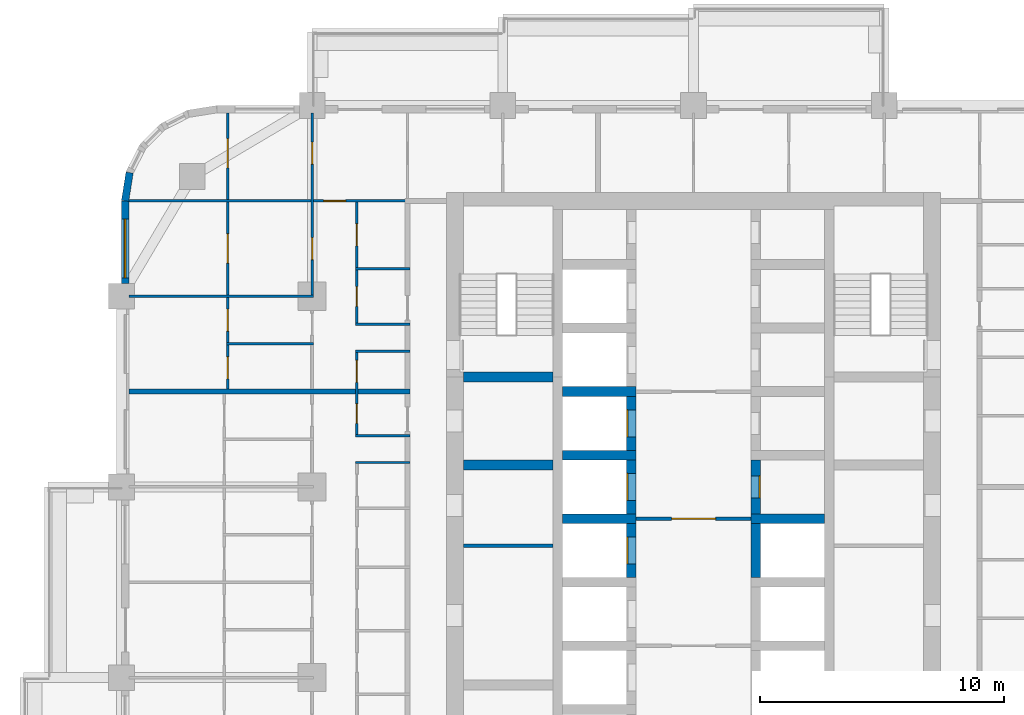
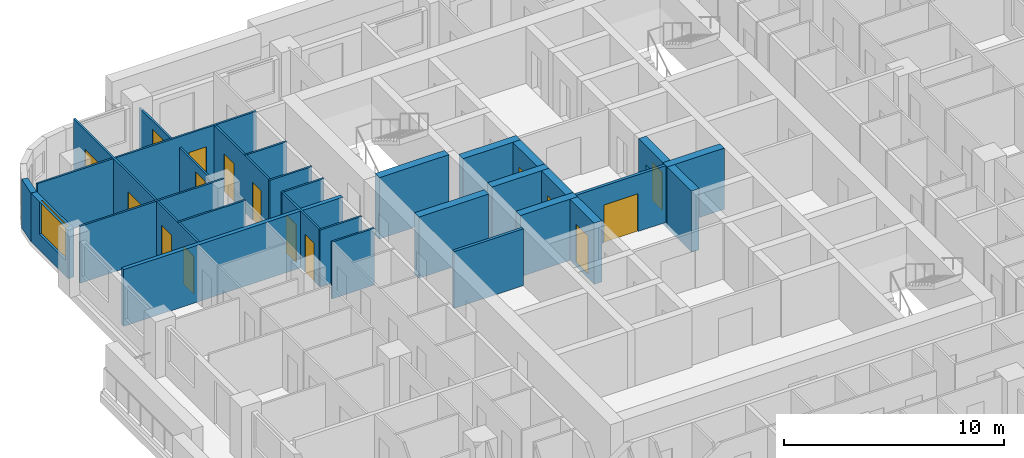
# One storey, part 10 of 17: 28 walls, 16 doors, 1 window, 17 openings.
"""IFC4 building model written with IfcOpenShell, lengths in metres."""

from ifc_helpers import new_model, si_unit, direction, frame, frame_2d, origin, place, context, subcontext, project, spatial, rectangle, extrude, material, layer, layer_set, type_object, element, fill, save


model = new_model("IFC4")

# Units and contexts
model_context = context("Model", 3, precision=1e-05, world=origin(), true_north=direction((0.0, 1.0)))
body_context = subcontext(model_context, "Body", "Model", "MODEL_VIEW")
ifc_project = project(units=[si_unit("LENGTHUNIT", "METRE"), si_unit("AREAUNIT", "SQUARE_METRE"), si_unit("VOLUMEUNIT", "CUBIC_METRE"), si_unit("PLANEANGLEUNIT", "RADIAN"), si_unit("MASSUNIT", "GRAM", prefix="KILO")], contexts=[model_context])

# Site, building, storey
site_placement = place(None, origin())
site = spatial("IfcSite", under=ifc_project, at=site_placement, CompositionType="ELEMENT")
building_placement = place(site_placement, origin())
building = spatial("IfcBuilding", under=site, at=building_placement, Name="Ludao Terraces", CompositionType="ELEMENT")
storey_placement = place(building_placement, frame((0.0, 0.0, 54.60009765625)))
storey = spatial("IfcBuildingStorey", under=building, at=storey_placement, Name="L14", CompositionType="ELEMENT", Elevation=54.60009765625)

# Wall, opening, window
ifc_material_1 = material(Name="Granite cladding", Category="masonry")
ifc_layer_1 = layer(ifc_material_1, 0.0400390625, Category="stone")
ifc_material_2 = material(Name="Mineral wool")
ifc_layer_2 = layer(ifc_material_2, 0.06005859375)
ifc_material_3 = material(Name="Concrete C40", Category="concrete")
ifc_layer_3 = layer(ifc_material_3, 0.199951171875, Category="concrete")
ifc_layer_set_1 = layer_set([ifc_layer_1, ifc_layer_2, ifc_layer_3], Name="ENV Stone-clad wall 300")
wall_type_1 = type_object("IfcWallType", Name="ENV Stone-clad wall 300", PredefinedType="SOLIDWALL", material=ifc_layer_set_1)
wall_1_placement = place(storey_placement, frame((61.75, 81.125, 0.0), z_axis=(0.0, 0.0, 1.0), x_axis=(0.0, 1.0, 0.0)))
wall_1 = element("IfcWall", 1, at=wall_1_placement, inside=storey, type_object=wall_type_1, Name="EW-L14-W6", PredefinedType="SOLIDWALL", context=body_context, shape_type="SweptSolid", body=[
    extrude(rectangle(XDim=3.375, YDim=0.300048828125, at=frame_2d((1.6875, 0.0))), origin(), (0.0, 0.0, 1.0), 2.699951171875),
])
opening_1_placement = place(wall_1_placement, frame((0.22509765625, 0.0, 0.89990234375)))
opening_1 = element("IfcOpeningElement", 2, at=opening_1_placement, cuts=wall_1, Name="Opening W1", PredefinedType="OPENING", context=body_context, shape_type="SweptSolid", body=[
    extrude(rectangle(XDim=2.39990234375, YDim=1.800048828125, at=frame_2d((1.199951171875, 0.89990234375))), frame((0.0, 0.16015625, 0.0), z_axis=(0.0, -1.0, 0.0), x_axis=(1.0, 0.0, 0.0)), (0.0, 0.0, 1.0), 0.320068359375),
])
ifc_material_4 = material(Name="Clear glass in aluminium frame", Category="aluminium")
ifc_layer_4 = layer(ifc_material_4, 0.06005859375)
ifc_layer_set_2 = layer_set([ifc_layer_4], Name="ENV Window W1 2400x1800")
window_type = type_object("IfcWindowType", Name="ENV Window W1 2400x1800", PartitioningType="DOUBLE_PANEL_VERTICAL", PredefinedType="WINDOW", material=ifc_layer_set_2)
window_placement = place(opening_1_placement, origin())
window = element("IfcWindow", 3, at=window_placement, inside=storey, type_object=window_type, Name="W-L14-W6-1", OverallHeight=1.800048828125, OverallWidth=2.39990234375, PartitioningType="DOUBLE_PANEL_VERTICAL", PredefinedType="WINDOW", context=body_context, shape_type="SweptSolid", body=[
    extrude(rectangle(XDim=2.39990234375, YDim=1.800048828125, at=frame_2d((1.199951171875, 0.89990234375))), frame((0.0, 0.030029296875, 0.0), z_axis=(0.0, -1.0, 0.0), x_axis=(1.0, 0.0, 0.0)), (0.0, 0.0, 1.0), 0.06005859375),
])
fill(opening_1, window)

# Walls
wall_2_placement = place(storey_placement, frame((61.93359375, 85.65869140625, 0.0), z_axis=(0.0, 0.0, 1.0), x_axis=(-0.156496880861, -0.987678452879, 0.0)))
element("IfcWall", 4, at=wall_2_placement, inside=storey, type_object=wall_type_1, Name="EW-L14-NW5", PredefinedType="SOLIDWALL", context=body_context, shape_type="SweptSolid", body=[
    extrude(rectangle(XDim=1.173095703125, YDim=0.300048828125, at=frame_2d((0.58642578125, 0.0))), origin(), (0.0, 0.0, 1.0), 2.699951171875),
])
ifc_material_5 = material(Name="Fire-rated gypsum plasterboard", Category="gypsum")
ifc_layer_5 = layer(ifc_material_5, 0.012451171875, Category="gypsum")
ifc_layer_6 = layer(ifc_material_2, 0.10009765625, Name="insulation")
ifc_material_6 = material(Name="Steel Q235", Category="steel")
ifc_layer_7 = layer(ifc_material_6, 0.02490234375, Name="stud")
ifc_layer_8 = layer(ifc_material_5, 0.012451171875, Category="gypsum")
ifc_layer_set_3 = layer_set([ifc_layer_5, ifc_layer_6, ifc_layer_7, ifc_layer_8], Name="INT Core partition 150")
wall_type_2 = type_object("IfcWallType", Name="INT Core partition 150", PredefinedType="PARTITIONING", material=ifc_layer_set_3)
wall_3_placement = place(storey_placement, frame((75.60009765625, 70.39990234375, 0.0), z_axis=(0.0, 0.0, 1.0), x_axis=(1.0, 0.0, 0.0)))
element("IfcWall", 5, at=wall_3_placement, inside=storey, type_object=wall_type_2, Name="PW-L14-PW049", PredefinedType="PARTITIONING", context=body_context, shape_type="SweptSolid", body=[
    extrude(rectangle(XDim=3.64990234375, YDim=0.14990234375, at=frame_2d((1.824951171875, 0.0))), origin(), (0.0, 0.0, 1.0), 3.14990234375),
])

# Wall, opening, door
wall_4_placement = place(storey_placement, frame((82.650146484375, 71.5, 0.0), z_axis=(0.0, 0.0, 1.0), x_axis=(1.0, 0.0, 0.0)))
wall_4 = element("IfcWall", 6, at=wall_4_placement, inside=storey, type_object=wall_type_2, Name="PW-L14-PW053", PredefinedType="PARTITIONING", context=body_context, shape_type="SweptSolid", body=[
    extrude(rectangle(XDim=4.699951171875, YDim=0.14990234375, at=frame_2d((2.35009765625, 0.0))), origin(), (0.0, 0.0, 1.0), 3.14990234375),
])
opening_2_placement = place(wall_4_placement, frame((1.449951171875, 0.0, 0.0)))
opening_2 = element("IfcOpeningElement", 7, at=opening_2_placement, cuts=wall_4, Name="Opening R04-102", PredefinedType="OPENING", context=body_context, shape_type="SweptSolid", body=[
    extrude(rectangle(XDim=1.800048828125, YDim=2.10009765625, at=frame_2d((0.89990234375, 1.050048828125))), frame((0.0, 0.0849609375, 0.0), z_axis=(0.0, -1.0, 0.0), x_axis=(1.0, 0.0, 0.0)), (0.0, 0.0, 1.0), 0.169921875),
])
door_type_1 = type_object("IfcDoorType", Name="INT Fire lobby door 1800", OperationType="DOUBLE_DOOR_SINGLE_SWING", PredefinedType="DOOR", material=ifc_material_6)
door_1_placement = place(opening_2_placement, origin())
door_1 = element("IfcDoor", 8, at=door_1_placement, inside=storey, type_object=door_type_1, Name="DOOR 102", OperationType="DOUBLE_DOOR_SINGLE_SWING", OverallHeight=2.10009765625, OverallWidth=1.800048828125, PredefinedType="DOOR", context=body_context, shape_type="SweptSolid", body=[
    extrude(rectangle(XDim=1.800048828125, YDim=2.10009765625, at=frame_2d((0.89990234375, 1.050048828125))), frame((0.0, 0.02490234375, 0.0), z_axis=(0.0, -1.0, 0.0), x_axis=(1.0, 0.0, 0.0)), (0.0, 0.0, 1.0), 0.050048828125),
])
fill(opening_2, door_1)

# Walls
ifc_material_7 = material(Name="Gypsum plasterboard", Category="gypsum")
ifc_layer_9 = layer(ifc_material_7, 0.012451171875, Category="gypsum")
ifc_layer_10 = layer(ifc_material_2, 0.06005859375, Name="insulation")
ifc_layer_11 = layer(ifc_material_6, 0.014892578125, Name="stud")
ifc_layer_12 = layer(ifc_material_7, 0.012451171875, Category="gypsum")
ifc_layer_set_4 = layer_set([ifc_layer_9, ifc_layer_10, ifc_layer_11, ifc_layer_12], Name="INT Partition 100")
wall_type_3 = type_object("IfcWallType", Name="INT Partition 100", PredefinedType="PARTITIONING", material=ifc_layer_set_4)
for number, where, z_axis, x_axis, name in (
    (9, (71.18017578125, 73.800048828125, 0.0), (0.0, 0.0, 1.0), (1.0, 0.0, 0.0), "PW-L14-PW057"),
    (10, (71.18017578125, 74.89990234375, 0.0), (0.0, 0.0, 1.0), (1.0, 0.0, 0.0), "PW-L14-PW060"),
    (11, (71.18017578125, 78.35009765625, 0.0), (0.0, 0.0, 1.0), (1.0, 0.0, 0.0), "PW-L14-PW066"),
):
    element("IfcWall", number, at=place(storey_placement, frame(where, z_axis=z_axis, x_axis=x_axis)), inside=storey, type_object=wall_type_3, Name=name, PredefinedType="PARTITIONING", context=body_context, shape_type="SweptSolid", body=[
        extrude(rectangle(XDim=2.219970703125, YDim=0.10009765625, at=frame_2d((1.10986328125, 0.0))), origin(), (0.0, 0.0, 1.0), 3.14990234375),
    ])
wall_5_placement = place(storey_placement, frame((65.900146484375, 78.64990234375, 0.0), z_axis=(0.0, 0.0, 1.0), x_axis=(1.0, 0.0, 0.0)))
element("IfcWall", 12, at=wall_5_placement, inside=storey, type_object=wall_type_3, Name="PW-L14-PW067", PredefinedType="PARTITIONING", context=body_context, shape_type="SweptSolid", body=[
    extrude(rectangle(XDim=3.550048828125, YDim=0.10009765625, at=frame_2d((1.77490234375, 0.0))), origin(), (0.0, 0.0, 1.0), 3.14990234375),
])
wall_6_placement = place(storey_placement, frame((71.18017578125, 79.449951171875, 0.0), z_axis=(0.0, 0.0, 1.0), x_axis=(1.0, 0.0, 0.0)))
element("IfcWall", 13, at=wall_6_placement, inside=storey, type_object=wall_type_3, Name="PW-L14-PW069", PredefinedType="PARTITIONING", context=body_context, shape_type="SweptSolid", body=[
    extrude(rectangle(XDim=2.219970703125, YDim=0.10009765625, at=frame_2d((1.10986328125, 0.0))), origin(), (0.0, 0.0, 1.0), 3.14990234375),
])
wall_7_placement = place(storey_placement, frame((61.900146484375, 80.60009765625, 0.0), z_axis=(0.0, 0.0, 1.0), x_axis=(1.0, 0.0, 0.0)))
element("IfcWall", 14, at=wall_7_placement, inside=storey, type_object=wall_type_3, Name="PW-L14-PW070", PredefinedType="PARTITIONING", context=body_context, shape_type="SweptSolid", body=[
    extrude(rectangle(XDim=7.550048828125, YDim=0.10009765625, at=frame_2d((3.77490234375, 0.0))), origin(), (0.0, 0.0, 1.0), 3.14990234375),
])
wall_8_placement = place(storey_placement, frame((71.18017578125, 81.72998046875, 0.0), z_axis=(0.0, 0.0, 1.0), x_axis=(1.0, 0.0, 0.0)))
element("IfcWall", 15, at=wall_8_placement, inside=storey, type_object=wall_type_3, Name="PW-L14-PW073", PredefinedType="PARTITIONING", context=body_context, shape_type="SweptSolid", body=[
    extrude(rectangle(XDim=2.219970703125, YDim=0.10009765625, at=frame_2d((1.10986328125, 0.0))), origin(), (0.0, 0.0, 1.0), 3.14990234375),
])

# Wall, opening, door
wall_9_placement = place(storey_placement, frame((61.900146484375, 84.5, 0.0), z_axis=(0.0, 0.0, 1.0), x_axis=(1.0, 0.0, 0.0)))
wall_9 = element("IfcWall", 16, at=wall_9_placement, inside=storey, type_object=wall_type_3, Name="PW-L14-PW076", PredefinedType="PARTITIONING", context=body_context, shape_type="SweptSolid", body=[
    extrude(rectangle(XDim=11.5, YDim=0.10009765625, at=frame_2d((5.75, 0.0))), origin(), (0.0, 0.0, 1.0), 3.14990234375),
])
opening_3_placement = place(wall_9_placement, frame((7.965087890625, 0.0, 0.0)))
opening_3 = element("IfcOpeningElement", 17, at=opening_3_placement, cuts=wall_9, Name="Opening R04-153", PredefinedType="OPENING", context=body_context, shape_type="SweptSolid", body=[
    extrude(rectangle(XDim=0.89990234375, YDim=2.10009765625, at=frame_2d((0.449951171875, 1.050048828125))), frame((0.0, 0.06005859375, 0.0), z_axis=(0.0, -1.0, 0.0), x_axis=(1.0, 0.0, 0.0)), (0.0, 0.0, 1.0), 0.1201171875),
])
ifc_material_8 = material(Name="Timber door leaf", Category="wood")
door_type_2 = type_object("IfcDoorType", Name="INT Room door 900", OperationType="SINGLE_SWING_LEFT", PredefinedType="DOOR", material=ifc_material_8)
door_2_placement = place(opening_3_placement, origin())
door_2 = element("IfcDoor", 18, at=door_2_placement, inside=storey, type_object=door_type_2, Name="DOOR 153", OperationType="SINGLE_SWING_RIGHT", OverallHeight=2.10009765625, OverallWidth=0.89990234375, PredefinedType="DOOR", context=body_context, shape_type="SweptSolid", body=[
    extrude(rectangle(XDim=0.89990234375, YDim=2.10009765625, at=frame_2d((0.449951171875, 1.050048828125))), frame((0.0, 0.02490234375, 0.0), z_axis=(0.0, -1.0, 0.0), x_axis=(1.0, 0.0, 0.0)), (0.0, 0.0, 1.0), 0.050048828125),
])
fill(opening_3, door_2)

# Wall, openings, doors
wall_10_placement = place(storey_placement, frame((65.949951171875, 76.800048828125, 0.0), z_axis=(0.0, 0.0, 1.0), x_axis=(0.0, 1.0, 0.0)))
wall_10 = element("IfcWall", 19, at=wall_10_placement, inside=storey, type_object=wall_type_3, Name="PW-L14-PW081", PredefinedType="PARTITIONING", context=body_context, shape_type="SweptSolid", body=[
    extrude(rectangle(XDim=11.300048828125, YDim=0.10009765625, at=frame_2d((5.64990234375, 0.0))), origin(), (0.0, 0.0, 1.0), 3.14990234375),
])
opening_4_placement = place(wall_10_placement, frame((0.425048828125, 0.0, 0.0)))
opening_4 = element("IfcOpeningElement", 20, at=opening_4_placement, cuts=wall_10, Name="Opening R04-128", PredefinedType="OPENING", context=body_context, shape_type="SweptSolid", body=[
    extrude(rectangle(XDim=0.89990234375, YDim=2.10009765625, at=frame_2d((0.449951171875, 1.050048828125))), frame((0.0, 0.06005859375, 0.0), z_axis=(0.0, -1.0, 0.0), x_axis=(1.0, 0.0, 0.0)), (0.0, 0.0, 1.0), 0.1201171875),
])
opening_5_placement = place(wall_10_placement, frame((2.375, 0.0, 0.0)))
opening_5 = element("IfcOpeningElement", 21, at=opening_5_placement, cuts=wall_10, Name="Opening R04-136", PredefinedType="OPENING", context=body_context, shape_type="SweptSolid", body=[
    extrude(rectangle(XDim=0.89990234375, YDim=2.10009765625, at=frame_2d((0.449951171875, 1.050048828125))), frame((0.0, 0.06005859375, 0.0), z_axis=(0.0, -1.0, 0.0), x_axis=(1.0, 0.0, 0.0)), (0.0, 0.0, 1.0), 0.1201171875),
])
opening_6_placement = place(wall_10_placement, frame((5.14990234375, 0.0, 0.0)))
opening_6 = element("IfcOpeningElement", 22, at=opening_6_placement, cuts=wall_10, Name="Opening R04-145", PredefinedType="OPENING", context=body_context, shape_type="SweptSolid", body=[
    extrude(rectangle(XDim=1.199951171875, YDim=2.10009765625, at=frame_2d((0.60009765625, 1.050048828125))), frame((0.0, 0.06005859375, 0.0), z_axis=(0.0, -1.0, 0.0), x_axis=(1.0, 0.0, 0.0)), (0.0, 0.0, 1.0), 0.1201171875),
])
opening_7_placement = place(wall_10_placement, frame((9.050048828125, 0.0, 0.0)))
opening_7 = element("IfcOpeningElement", 23, at=opening_7_placement, cuts=wall_10, Name="Opening R04-155", PredefinedType="OPENING", context=body_context, shape_type="SweptSolid", body=[
    extrude(rectangle(XDim=1.199951171875, YDim=2.10009765625, at=frame_2d((0.60009765625, 1.050048828125))), frame((0.0, 0.06005859375, 0.0), z_axis=(0.0, -1.0, 0.0), x_axis=(1.0, 0.0, 0.0)), (0.0, 0.0, 1.0), 0.1201171875),
])
door_type_3 = type_object("IfcDoorType", Name="INT Bathroom door 900", OperationType="SINGLE_SWING_LEFT", PredefinedType="DOOR", material=ifc_material_8)
door_3_placement = place(opening_4_placement, origin())
door_3 = element("IfcDoor", 24, at=door_3_placement, inside=storey, type_object=door_type_3, Name="DOOR 128", OperationType="SINGLE_SWING_RIGHT", OverallHeight=2.10009765625, OverallWidth=0.89990234375, PredefinedType="DOOR", context=body_context, shape_type="SweptSolid", body=[
    extrude(rectangle(XDim=0.89990234375, YDim=2.10009765625, at=frame_2d((0.449951171875, 1.050048828125))), frame((0.0, 0.02490234375, 0.0), z_axis=(0.0, -1.0, 0.0), x_axis=(1.0, 0.0, 0.0)), (0.0, 0.0, 1.0), 0.050048828125),
])
fill(opening_4, door_3)
door_type_4 = type_object("IfcDoorType", Name="INT Double door 1200", OperationType="DOUBLE_DOOR_SINGLE_SWING", PredefinedType="DOOR", material=ifc_material_8)
door_4_placement = place(opening_6_placement, origin())
door_4 = element("IfcDoor", 25, at=door_4_placement, inside=storey, type_object=door_type_4, Name="DOOR 145", OperationType="DOUBLE_DOOR_SINGLE_SWING", OverallHeight=2.10009765625, OverallWidth=1.199951171875, PredefinedType="DOOR", context=body_context, shape_type="SweptSolid", body=[
    extrude(rectangle(XDim=1.199951171875, YDim=2.10009765625, at=frame_2d((0.60009765625, 1.050048828125))), frame((0.0, 0.02490234375, 0.0), z_axis=(0.0, -1.0, 0.0), x_axis=(1.0, 0.0, 0.0)), (0.0, 0.0, 1.0), 0.050048828125),
])
fill(opening_6, door_4)
door_5_placement = place(opening_7_placement, origin())
door_5 = element("IfcDoor", 26, at=door_5_placement, inside=storey, type_object=door_type_4, Name="DOOR 155", OperationType="DOUBLE_DOOR_SINGLE_SWING", OverallHeight=2.10009765625, OverallWidth=1.199951171875, PredefinedType="DOOR", context=body_context, shape_type="SweptSolid", body=[
    extrude(rectangle(XDim=1.199951171875, YDim=2.10009765625, at=frame_2d((0.60009765625, 1.050048828125))), frame((0.0, 0.02490234375, 0.0), z_axis=(0.0, -1.0, 0.0), x_axis=(1.0, 0.0, 0.0)), (0.0, 0.0, 1.0), 0.050048828125),
])
fill(opening_7, door_5)
door_6_placement = place(opening_5_placement, origin())
door_6 = element("IfcDoor", 27, at=door_6_placement, inside=storey, type_object=door_type_2, Name="DOOR 136", OperationType="SINGLE_SWING_RIGHT", OverallHeight=2.10009765625, OverallWidth=0.89990234375, PredefinedType="DOOR", context=body_context, shape_type="SweptSolid", body=[
    extrude(rectangle(XDim=0.89990234375, YDim=2.10009765625, at=frame_2d((0.449951171875, 1.050048828125))), frame((0.0, 0.02490234375, 0.0), z_axis=(0.0, -1.0, 0.0), x_axis=(1.0, 0.0, 0.0)), (0.0, 0.0, 1.0), 0.050048828125),
])
fill(opening_5, door_6)

wall_11_placement = place(storey_placement, frame((69.39990234375, 80.60009765625, 0.0), z_axis=(0.0, 0.0, 1.0), x_axis=(0.0, 1.0, 0.0)))
wall_11 = element("IfcWall", 28, at=wall_11_placement, inside=storey, type_object=wall_type_3, Name="PW-L14-PW083-3", PredefinedType="PARTITIONING", context=body_context, shape_type="SweptSolid", body=[
    extrude(rectangle(XDim=7.5, YDim=0.10009765625, at=frame_2d((3.75, 0.0))), origin(), (0.0, 0.0, 1.0), 2.5498046875),
])
opening_8_placement = place(wall_11_placement, frame((1.5, 0.0, 0.0)))
opening_8 = element("IfcOpeningElement", 29, at=opening_8_placement, cuts=wall_11, Name="Opening R04-146", PredefinedType="OPENING", context=body_context, shape_type="SweptSolid", body=[
    extrude(rectangle(XDim=0.89990234375, YDim=2.10009765625, at=frame_2d((0.449951171875, 1.050048828125))), frame((0.0, 0.06005859375, 0.0), z_axis=(0.0, -1.0, 0.0), x_axis=(1.0, 0.0, 0.0)), (0.0, 0.0, 1.0), 0.1201171875),
])
opening_9_placement = place(wall_11_placement, frame((5.39990234375, 0.0, 0.0)))
opening_9 = element("IfcOpeningElement", 30, at=opening_9_placement, cuts=wall_11, Name="Opening R04-156", PredefinedType="OPENING", context=body_context, shape_type="SweptSolid", body=[
    extrude(rectangle(XDim=0.89990234375, YDim=2.10009765625, at=frame_2d((0.449951171875, 1.050048828125))), frame((0.0, 0.06005859375, 0.0), z_axis=(0.0, -1.0, 0.0), x_axis=(1.0, 0.0, 0.0)), (0.0, 0.0, 1.0), 0.1201171875),
])
door_7_placement = place(opening_8_placement, origin())
door_7 = element("IfcDoor", 31, at=door_7_placement, inside=storey, type_object=door_type_2, Name="DOOR 146", OperationType="SINGLE_SWING_LEFT", OverallHeight=2.10009765625, OverallWidth=0.89990234375, PredefinedType="DOOR", context=body_context, shape_type="SweptSolid", body=[
    extrude(rectangle(XDim=0.89990234375, YDim=2.10009765625, at=frame_2d((0.449951171875, 1.050048828125))), frame((0.0, 0.02490234375, 0.0), z_axis=(0.0, -1.0, 0.0), x_axis=(1.0, 0.0, 0.0)), (0.0, 0.0, 1.0), 0.050048828125),
])
fill(opening_8, door_7)
door_8_placement = place(opening_9_placement, origin())
door_8 = element("IfcDoor", 32, at=door_8_placement, inside=storey, type_object=door_type_2, Name="DOOR 156", OperationType="SINGLE_SWING_RIGHT", OverallHeight=2.10009765625, OverallWidth=0.89990234375, PredefinedType="DOOR", context=body_context, shape_type="SweptSolid", body=[
    extrude(rectangle(XDim=0.89990234375, YDim=2.10009765625, at=frame_2d((0.449951171875, 1.050048828125))), frame((0.0, 0.02490234375, 0.0), z_axis=(0.0, -1.0, 0.0), x_axis=(1.0, 0.0, 0.0)), (0.0, 0.0, 1.0), 0.050048828125),
])
fill(opening_9, door_8)

wall_12_placement = place(storey_placement, frame((71.22998046875, 74.9501953125, 0.0), z_axis=(0.0, 0.0, 1.0), x_axis=(0.0, 1.0, 0.0)))
wall_12 = element("IfcWall", 33, at=wall_12_placement, inside=storey, type_object=wall_type_3, Name="PW-L14-PW086", PredefinedType="PARTITIONING", context=body_context, shape_type="SweptSolid", body=[
    extrude(rectangle(XDim=3.349853515625, YDim=0.10009765625, at=frame_2d((1.6748046875, 0.0))), origin(), (0.0, 0.0, 1.0), 3.14990234375),
])
opening_10_placement = place(wall_12_placement, frame((0.449951171875, 0.0, 0.0)))
opening_10 = element("IfcOpeningElement", 34, at=opening_10_placement, cuts=wall_12, Name="Opening R04-124", PredefinedType="OPENING", context=body_context, shape_type="SweptSolid", body=[
    extrude(rectangle(XDim=0.800048828125, YDim=2.10009765625, at=frame_2d((0.39990234375, 1.050048828125))), frame((0.0, 0.06005859375, 0.0), z_axis=(0.0, -1.0, 0.0), x_axis=(1.0, 0.0, 0.0)), (0.0, 0.0, 1.0), 0.1201171875),
])
opening_11_placement = place(wall_12_placement, frame((2.125, 0.0, 0.0)))
opening_11 = element("IfcOpeningElement", 35, at=opening_11_placement, cuts=wall_12, Name="Opening R04-127", PredefinedType="OPENING", context=body_context, shape_type="SweptSolid", body=[
    extrude(rectangle(XDim=0.89990234375, YDim=2.10009765625, at=frame_2d((0.449951171875, 1.050048828125))), frame((0.0, 0.06005859375, 0.0), z_axis=(0.0, -1.0, 0.0), x_axis=(1.0, 0.0, 0.0)), (0.0, 0.0, 1.0), 0.1201171875),
])
door_9_placement = place(opening_11_placement, origin())
door_9 = element("IfcDoor", 36, at=door_9_placement, inside=storey, type_object=door_type_3, Name="DOOR 127", OperationType="SINGLE_SWING_RIGHT", OverallHeight=2.10009765625, OverallWidth=0.89990234375, PredefinedType="DOOR", context=body_context, shape_type="SweptSolid", body=[
    extrude(rectangle(XDim=0.89990234375, YDim=2.10009765625, at=frame_2d((0.449951171875, 1.050048828125))), frame((0.0, 0.02490234375, 0.0), z_axis=(0.0, -1.0, 0.0), x_axis=(1.0, 0.0, 0.0)), (0.0, 0.0, 1.0), 0.050048828125),
])
fill(opening_11, door_9)
door_type_5 = type_object("IfcDoorType", Name="INT Store door 800", OperationType="SINGLE_SWING_LEFT", PredefinedType="DOOR", material=ifc_material_8)
door_10_placement = place(opening_10_placement, origin())
door_10 = element("IfcDoor", 37, at=door_10_placement, inside=storey, type_object=door_type_5, Name="DOOR 124", OperationType="SINGLE_SWING_RIGHT", OverallHeight=2.10009765625, OverallWidth=0.800048828125, PredefinedType="DOOR", context=body_context, shape_type="SweptSolid", body=[
    extrude(rectangle(XDim=0.800048828125, YDim=2.10009765625, at=frame_2d((0.39990234375, 1.050048828125))), frame((0.0, 0.02490234375, 0.0), z_axis=(0.0, -1.0, 0.0), x_axis=(1.0, 0.0, 0.0)), (0.0, 0.0, 1.0), 0.050048828125),
])
fill(opening_10, door_10)

wall_13_placement = place(storey_placement, frame((71.22998046875, 79.5, 0.0), z_axis=(0.0, 0.0, 1.0), x_axis=(0.0, 1.0, 0.0)))
wall_13 = element("IfcWall", 38, at=wall_13_placement, inside=storey, type_object=wall_type_3, Name="PW-L14-PW087", PredefinedType="PARTITIONING", context=body_context, shape_type="SweptSolid", body=[
    extrude(rectangle(XDim=4.9501953125, YDim=0.10009765625, at=frame_2d((2.47509765625, 0.0))), origin(), (0.0, 0.0, 1.0), 3.14990234375),
])
opening_12_placement = place(wall_13_placement, frame((0.690185546875, 0.0, 0.0)))
opening_12 = element("IfcOpeningElement", 39, at=opening_12_placement, cuts=wall_13, Name="Opening R04-140", PredefinedType="OPENING", context=body_context, shape_type="SweptSolid", body=[
    extrude(rectangle(XDim=0.800048828125, YDim=2.10009765625, at=frame_2d((0.39990234375, 1.050048828125))), frame((0.0, 0.06005859375, 0.0), z_axis=(0.0, -1.0, 0.0), x_axis=(1.0, 0.0, 0.0)), (0.0, 0.0, 1.0), 0.1201171875),
])
opening_13_placement = place(wall_13_placement, frame((3.1650390625, 0.0, 0.0)))
opening_13 = element("IfcOpeningElement", 40, at=opening_13_placement, cuts=wall_13, Name="Opening R04-147", PredefinedType="OPENING", context=body_context, shape_type="SweptSolid", body=[
    extrude(rectangle(XDim=0.89990234375, YDim=2.10009765625, at=frame_2d((0.449951171875, 1.050048828125))), frame((0.0, 0.06005859375, 0.0), z_axis=(0.0, -1.0, 0.0), x_axis=(1.0, 0.0, 0.0)), (0.0, 0.0, 1.0), 0.1201171875),
])
door_11_placement = place(opening_13_placement, origin())
door_11 = element("IfcDoor", 41, at=door_11_placement, inside=storey, type_object=door_type_2, Name="DOOR 147", OperationType="SINGLE_SWING_RIGHT", OverallHeight=2.10009765625, OverallWidth=0.89990234375, PredefinedType="DOOR", context=body_context, shape_type="SweptSolid", body=[
    extrude(rectangle(XDim=0.89990234375, YDim=2.10009765625, at=frame_2d((0.449951171875, 1.050048828125))), frame((0.0, 0.02490234375, 0.0), z_axis=(0.0, -1.0, 0.0), x_axis=(1.0, 0.0, 0.0)), (0.0, 0.0, 1.0), 0.050048828125),
])
fill(opening_13, door_11)
door_12_placement = place(opening_12_placement, origin())
door_12 = element("IfcDoor", 42, at=door_12_placement, inside=storey, type_object=door_type_5, Name="DOOR 140", OperationType="SINGLE_SWING_RIGHT", OverallHeight=2.10009765625, OverallWidth=0.800048828125, PredefinedType="DOOR", context=body_context, shape_type="SweptSolid", body=[
    extrude(rectangle(XDim=0.800048828125, YDim=2.10009765625, at=frame_2d((0.39990234375, 1.050048828125))), frame((0.0, 0.02490234375, 0.0), z_axis=(0.0, -1.0, 0.0), x_axis=(1.0, 0.0, 0.0)), (0.0, 0.0, 1.0), 0.050048828125),
])
fill(opening_12, door_12)

# Wall
ifc_material_9 = material(Name="Autoclaved aerated concrete block B06 A3.5", Category="concrete")
ifc_layer_13 = layer(ifc_material_9, 0.199951171875)
ifc_layer_set_5 = layer_set([ifc_layer_13], Name="INT Party wall 200")
wall_type_4 = type_object("IfcWallType", Name="INT Party wall 200", PredefinedType="PARTITIONING", material=ifc_layer_set_5)
wall_14_placement = place(storey_placement, frame((61.900146484375, 76.699951171875, 0.0), z_axis=(0.0, 0.0, 1.0), x_axis=(1.0, 0.0, 0.0)))
element("IfcWall", 43, at=wall_14_placement, inside=storey, type_object=wall_type_4, Name="PW-L14-PW062", PredefinedType="PARTITIONING", context=body_context, shape_type="SweptSolid", body=[
    extrude(rectangle(XDim=11.5, YDim=0.199951171875, at=frame_2d((5.75, 0.0))), origin(), (0.0, 0.0, 1.0), 3.14990234375),
])

# Wall, opening, door
ifc_material_10 = material(Name="Concrete C60", Category="concrete")
ifc_layer_14 = layer(ifc_material_10, 0.39990234375)
ifc_layer_set_6 = layer_set([ifc_layer_14], Name="Shaft wall 400 C60")
wall_type_5 = type_object("IfcWallType", Name="Shaft wall 400 C60", PredefinedType="SOLIDWALL", material=ifc_layer_set_6)
wall_15_placement = place(storey_placement, frame((82.449951171875, 69.10009765625, -0.25), z_axis=(0.0, 0.0, 1.0), x_axis=(0.0, 1.0, 0.0)))
wall_15 = element("IfcWall", 44, at=wall_15_placement, inside=storey, type_object=wall_type_5, Name="Core wall L14 front-W4", PredefinedType="SOLIDWALL", context=body_context, shape_type="SweptSolid", body=[
    extrude(rectangle(XDim=2.199951171875, YDim=0.39990234375, at=frame_2d((1.10009765625, 0.0))), origin(), (0.0, 0.0, 1.0), 3.39990234375),
])
opening_14_placement = place(wall_15_placement, frame((0.550048828125, 0.0, 0.25)))
opening_14 = element("IfcOpeningElement", 45, at=opening_14_placement, cuts=wall_15, Name="Opening LD-LA4", PredefinedType="OPENING", context=body_context, shape_type="SweptSolid", body=[
    extrude(rectangle(XDim=1.10009765625, YDim=2.10009765625, at=frame_2d((0.550048828125, 1.050048828125))), frame((0.0, 0.2099609375, 0.0), z_axis=(0.0, -1.0, 0.0), x_axis=(1.0, 0.0, 0.0)), (0.0, 0.0, 1.0), 0.419921875),
])
ifc_material_11 = material(Name="Stainless steel 304", Category="steel")
door_type_6 = type_object("IfcDoorType", Name="INT Lift landing door 1100", OperationType="SLIDING_TO_LEFT", PredefinedType="DOOR", material=ifc_material_11)
door_13_placement = place(opening_14_placement, origin())
door_13 = element("IfcDoor", 46, at=door_13_placement, inside=storey, type_object=door_type_6, Name="LANDING DOOR LA4 L14", OperationType="SLIDING_TO_LEFT", OverallHeight=2.10009765625, OverallWidth=1.10009765625, PredefinedType="DOOR", context=body_context, shape_type="SweptSolid", body=[
    extrude(rectangle(XDim=1.10009765625, YDim=2.10009765625, at=frame_2d((0.550048828125, 1.050048828125))), frame((0.0, 0.18505859375, 0.0), z_axis=(0.0, -1.0, 0.0), x_axis=(1.0, 0.0, 0.0)), (0.0, 0.0, 1.0), 0.050048828125),
])
fill(opening_14, door_13)

# Wall
wall_16_placement = place(storey_placement, frame((79.64990234375, 71.5, -0.25), z_axis=(0.0, 0.0, 1.0), x_axis=(1.0, 0.0, 0.0)))
element("IfcWall", 47, at=wall_16_placement, inside=storey, type_object=wall_type_5, Name="Core wall L14 div-W5", PredefinedType="SOLIDWALL", context=body_context, shape_type="SweptSolid", body=[
    extrude(rectangle(XDim=3.0, YDim=0.39990234375, at=frame_2d((1.5, 0.0))), origin(), (0.0, 0.0, 1.0), 3.39990234375),
])

# Wall, opening, door
wall_17_placement = place(storey_placement, frame((82.449951171875, 71.699951171875, -0.25), z_axis=(0.0, 0.0, 1.0), x_axis=(0.0, 1.0, 0.0)))
wall_17 = element("IfcWall", 48, at=wall_17_placement, inside=storey, type_object=wall_type_5, Name="Core wall L14 front-W5", PredefinedType="SOLIDWALL", context=body_context, shape_type="SweptSolid", body=[
    extrude(rectangle(XDim=2.199951171875, YDim=0.39990234375, at=frame_2d((1.10009765625, 0.0))), origin(), (0.0, 0.0, 1.0), 3.39990234375),
])
opening_15_placement = place(wall_17_placement, frame((0.550048828125, 0.0, 0.25)))
opening_15 = element("IfcOpeningElement", 49, at=opening_15_placement, cuts=wall_17, Name="Opening LD-LA5", PredefinedType="OPENING", context=body_context, shape_type="SweptSolid", body=[
    extrude(rectangle(XDim=1.10009765625, YDim=2.10009765625, at=frame_2d((0.550048828125, 1.050048828125))), frame((0.0, 0.2099609375, 0.0), z_axis=(0.0, -1.0, 0.0), x_axis=(1.0, 0.0, 0.0)), (0.0, 0.0, 1.0), 0.419921875),
])
door_14_placement = place(opening_15_placement, origin())
door_14 = element("IfcDoor", 50, at=door_14_placement, inside=storey, type_object=door_type_6, Name="LANDING DOOR LA5 L14", OperationType="SLIDING_TO_LEFT", OverallHeight=2.10009765625, OverallWidth=1.10009765625, PredefinedType="DOOR", context=body_context, shape_type="SweptSolid", body=[
    extrude(rectangle(XDim=1.10009765625, YDim=2.10009765625, at=frame_2d((0.550048828125, 1.050048828125))), frame((0.0, 0.18505859375, 0.0), z_axis=(0.0, -1.0, 0.0), x_axis=(1.0, 0.0, 0.0)), (0.0, 0.0, 1.0), 0.050048828125),
])
fill(opening_15, door_14)

# Wall
wall_18_placement = place(storey_placement, frame((79.64990234375, 74.10009765625, -0.25), z_axis=(0.0, 0.0, 1.0), x_axis=(1.0, 0.0, 0.0)))
element("IfcWall", 51, at=wall_18_placement, inside=storey, type_object=wall_type_5, Name="Core wall L14 div-W6", PredefinedType="SOLIDWALL", context=body_context, shape_type="SweptSolid", body=[
    extrude(rectangle(XDim=3.0, YDim=0.39990234375, at=frame_2d((1.5, 0.0))), origin(), (0.0, 0.0, 1.0), 3.39990234375),
])

# Wall, opening, door
wall_19_placement = place(storey_placement, frame((82.449951171875, 74.300048828125, -0.25), z_axis=(0.0, 0.0, 1.0), x_axis=(0.0, 1.0, 0.0)))
wall_19 = element("IfcWall", 52, at=wall_19_placement, inside=storey, type_object=wall_type_5, Name="Core wall L14 front-W6", PredefinedType="SOLIDWALL", context=body_context, shape_type="SweptSolid", body=[
    extrude(rectangle(XDim=2.199951171875, YDim=0.39990234375, at=frame_2d((1.10009765625, 0.0))), origin(), (0.0, 0.0, 1.0), 3.39990234375),
])
opening_16_placement = place(wall_19_placement, frame((0.550048828125, 0.0, 0.25)))
opening_16 = element("IfcOpeningElement", 53, at=opening_16_placement, cuts=wall_19, Name="Opening LD-LA6", PredefinedType="OPENING", context=body_context, shape_type="SweptSolid", body=[
    extrude(rectangle(XDim=1.10009765625, YDim=2.10009765625, at=frame_2d((0.550048828125, 1.050048828125))), frame((0.0, 0.2099609375, 0.0), z_axis=(0.0, -1.0, 0.0), x_axis=(1.0, 0.0, 0.0)), (0.0, 0.0, 1.0), 0.419921875),
])
door_15_placement = place(opening_16_placement, origin())
door_15 = element("IfcDoor", 54, at=door_15_placement, inside=storey, type_object=door_type_6, Name="LANDING DOOR LA6 L14", OperationType="SLIDING_TO_LEFT", OverallHeight=2.10009765625, OverallWidth=1.10009765625, PredefinedType="DOOR", context=body_context, shape_type="SweptSolid", body=[
    extrude(rectangle(XDim=1.10009765625, YDim=2.10009765625, at=frame_2d((0.550048828125, 1.050048828125))), frame((0.0, 0.18505859375, 0.0), z_axis=(0.0, -1.0, 0.0), x_axis=(1.0, 0.0, 0.0)), (0.0, 0.0, 1.0), 0.050048828125),
])
fill(opening_16, door_15)

# Walls
wall_20_placement = place(storey_placement, frame((79.64990234375, 76.699951171875, -0.25), z_axis=(0.0, 0.0, 1.0), x_axis=(1.0, 0.0, 0.0)))
element("IfcWall", 55, at=wall_20_placement, inside=storey, type_object=wall_type_5, Name="Core wall L14 div-W7", PredefinedType="SOLIDWALL", context=body_context, shape_type="SweptSolid", body=[
    extrude(rectangle(XDim=3.0, YDim=0.39990234375, at=frame_2d((1.5, 0.0))), origin(), (0.0, 0.0, 1.0), 3.39990234375),
])
wall_21_placement = place(storey_placement, frame((87.550048828125, 69.10009765625, -0.25), z_axis=(0.0, 0.0, 1.0), x_axis=(0.0, 1.0, 0.0)))
element("IfcWall", 56, at=wall_21_placement, inside=storey, type_object=wall_type_5, Name="Core wall L14 front-E4", PredefinedType="SOLIDWALL", context=body_context, shape_type="SweptSolid", body=[
    extrude(rectangle(XDim=2.199951171875, YDim=0.39990234375, at=frame_2d((1.10009765625, 0.0))), origin(), (0.0, 0.0, 1.0), 3.39990234375),
])
wall_22_placement = place(storey_placement, frame((87.35009765625, 71.5, -0.25), z_axis=(0.0, 0.0, 1.0), x_axis=(1.0, 0.0, 0.0)))
element("IfcWall", 57, at=wall_22_placement, inside=storey, type_object=wall_type_5, Name="Core wall L14 div-E5", PredefinedType="SOLIDWALL", context=body_context, shape_type="SweptSolid", body=[
    extrude(rectangle(XDim=3.0, YDim=0.39990234375, at=frame_2d((1.5, 0.0))), origin(), (0.0, 0.0, 1.0), 3.39990234375),
])

# Wall, opening, door
wall_23_placement = place(storey_placement, frame((87.550048828125, 71.699951171875, -0.25), z_axis=(0.0, 0.0, 1.0), x_axis=(0.0, 1.0, 0.0)))
wall_23 = element("IfcWall", 58, at=wall_23_placement, inside=storey, type_object=wall_type_5, Name="Core wall L14 front-E5", PredefinedType="SOLIDWALL", context=body_context, shape_type="SweptSolid", body=[
    extrude(rectangle(XDim=2.199951171875, YDim=0.39990234375, at=frame_2d((1.10009765625, 0.0))), origin(), (0.0, 0.0, 1.0), 3.39990234375),
])
opening_17_placement = place(wall_23_placement, frame((0.64990234375, 0.0, 0.25)))
opening_17 = element("IfcOpeningElement", 59, at=opening_17_placement, cuts=wall_23, Name="Opening R04-110", PredefinedType="OPENING", context=body_context, shape_type="SweptSolid", body=[
    extrude(rectangle(XDim=0.89990234375, YDim=2.10009765625, at=frame_2d((0.449951171875, 1.050048828125))), frame((0.0, 0.2099609375, 0.0), z_axis=(0.0, -1.0, 0.0), x_axis=(1.0, 0.0, 0.0)), (0.0, 0.0, 1.0), 0.419921875),
])
door_16_placement = place(opening_17_placement, origin())
door_16 = element("IfcDoor", 60, at=door_16_placement, inside=storey, type_object=door_type_2, Name="DOOR 110", OperationType="SINGLE_SWING_RIGHT", OverallHeight=2.10009765625, OverallWidth=0.89990234375, PredefinedType="DOOR", context=body_context, shape_type="SweptSolid", body=[
    extrude(rectangle(XDim=0.89990234375, YDim=2.10009765625, at=frame_2d((0.449951171875, 1.050048828125))), frame((0.0, -0.134765625, 0.0), z_axis=(0.0, -1.0, 0.0), x_axis=(1.0, 0.0, 0.0)), (0.0, 0.0, 1.0), 0.050048828125),
])
fill(opening_17, door_16)

# Walls
for number, where, z_axis, x_axis, name in (
    (61, (75.60009765625, 73.699951171875, -0.25), (0.0, 0.0, 1.0), (1.0, 0.0, 0.0), "Core wall L14 riser-b-W"),
    (62, (75.60009765625, 77.300048828125, -0.25), (0.0, 0.0, 1.0), (1.0, 0.0, 0.0), "Core wall L14 stair-W"),
):
    element("IfcWall", number, at=place(storey_placement, frame(where, z_axis=z_axis, x_axis=x_axis)), inside=storey, type_object=wall_type_5, Name=name, PredefinedType="SOLIDWALL", context=body_context, shape_type="SweptSolid", body=[
        extrude(rectangle(XDim=3.64990234375, YDim=0.39990234375, at=frame_2d((1.824951171875, 0.0))), origin(), (0.0, 0.0, 1.0), 3.39990234375),
    ])

save(model, "model.ifc")
